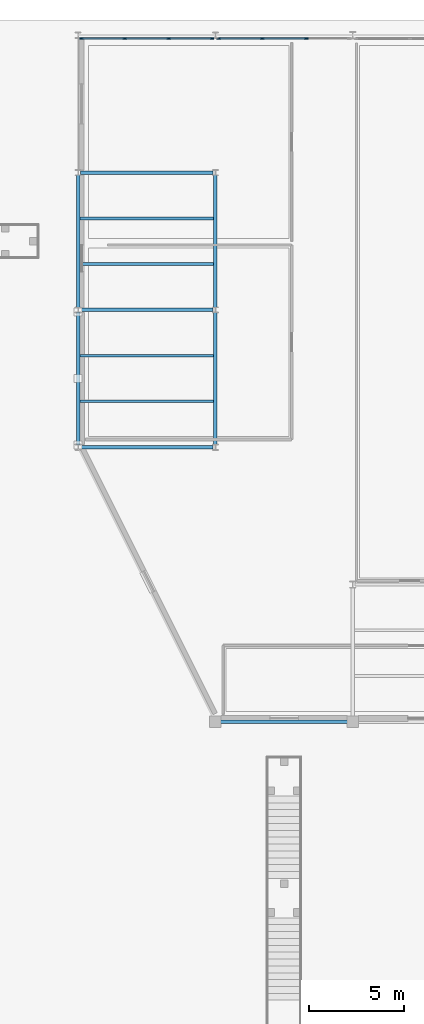
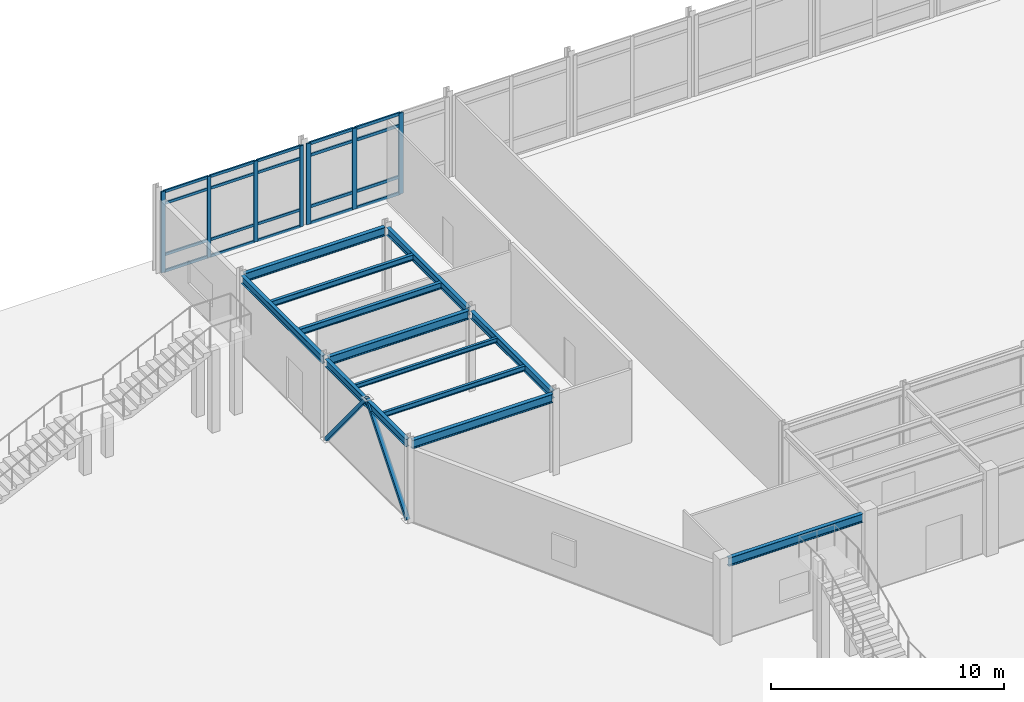
# One storey, part 17 of 58: 29 members, 12 beams, 2 elements without a shape of their own.
"""IFC4 building model written with IfcOpenShell, lengths in metres."""

from ifc_helpers import new_model, si_unit, direction, frame, origin, origin_2d, place, context, subcontext, project, spatial, rectangle, hollow_rectangle, i_section, extrude, material, layer, layer_set, material_profile, profile_set, type_object, element, aggregate, save


model = new_model("IFC4")

# Units and contexts
model_context = context("Model", 3, precision=1e-05, world=origin(), true_north=direction((0.0, 1.0)))
body_context = subcontext(model_context, "Body", "Model", "MODEL_VIEW")
ifc_project = project(units=[si_unit("LENGTHUNIT", "METRE"), si_unit("AREAUNIT", "SQUARE_METRE"), si_unit("VOLUMEUNIT", "CUBIC_METRE"), si_unit("PLANEANGLEUNIT", "RADIAN"), si_unit("MASSUNIT", "GRAM", prefix="KILO")], contexts=[model_context])

# Site, building, storey
site_placement = place(None, origin())
site = spatial("IfcSite", under=ifc_project, at=site_placement, CompositionType="ELEMENT")
building_placement = place(site_placement, origin())
building = spatial("IfcBuilding", under=site, at=building_placement, Name="Brisavento Harbour Community Centre", CompositionType="ELEMENT")
storey_placement = place(building_placement, origin())
storey = spatial("IfcBuildingStorey", under=building, at=storey_placement, Name="L00", CompositionType="ELEMENT", Elevation=0.0)

# Beams
ifc_material_1 = material(Name="Steel S355", Category="steel")
ifc_material_profile_1 = material_profile(ifc_material_1, i_section(OverallWidth=0.1201171875, OverallDepth=0.239990234375, WebThickness=0.006103515625, FlangeThickness=0.009765625, FilletRadius=0.014892578125, at=origin_2d()), Name="Steel S355")
ifc_profile_set_1 = profile_set([ifc_material_profile_1], Name="Steel S355")
beam_type_1 = type_object("IfcBeamType", Name="BM-STL-IPE240", PredefinedType="JOIST", material=ifc_profile_set_1)
beam_1_placement = place(storey_placement, frame((115.2900390625, 98.39990234375, 4.1201171875), z_axis=(1.0, 0.0, 0.0), x_axis=(0.0, 1.0, 0.0)))
element("IfcBeam", 1, at=beam_1_placement, inside=storey, type_object=beam_type_1, Name="L00 secondary floor joist 0187", PredefinedType="JOIST", context=body_context, shape_type="SweptSolid", body=[
    extrude(i_section(OverallWidth=0.1201171875, OverallDepth=0.239990234375, WebThickness=0.006103515625, FlangeThickness=0.009765625, FilletRadius=0.014892578125, at=origin_2d()), origin(), (0.0, 0.0, 1.0), 7.02001953125),
])
ifc_material_profile_2 = material_profile(ifc_material_1, i_section(OverallWidth=0.135009765625, OverallDepth=0.27001953125, WebThickness=0.006591796875, FlangeThickness=0.01025390625, FilletRadius=0.014892578125, at=origin_2d()), Name="Steel S355")
ifc_profile_set_2 = profile_set([ifc_material_profile_2], Name="Steel S355")
beam_type_2 = type_object("IfcBeamType", Name="BM-STL-IPE270", PredefinedType="JOIST", material=ifc_profile_set_2)
beam_2_placement = place(storey_placement, frame((115.2900390625, 96.0, 4.10498046875), z_axis=(1.0, 0.0, 0.0), x_axis=(0.0, 1.0, 0.0)))
element("IfcBeam", 2, at=beam_2_placement, inside=storey, type_object=beam_type_2, Name="L00 secondary floor joist 0186", PredefinedType="JOIST", context=body_context, shape_type="SweptSolid", body=[
    extrude(i_section(OverallWidth=0.135009765625, OverallDepth=0.27001953125, WebThickness=0.006591796875, FlangeThickness=0.01025390625, FilletRadius=0.014892578125, at=origin_2d()), origin(), (0.0, 0.0, 1.0), 7.02001953125),
])
ifc_material_profile_3 = material_profile(ifc_material_1, i_section(OverallWidth=0.14990234375, OverallDepth=0.300048828125, WebThickness=0.007080078125, FlangeThickness=0.0107421875, FilletRadius=0.014892578125, at=origin_2d()), Name="Steel S355")
ifc_profile_set_3 = profile_set([ifc_material_profile_3], Name="Steel S355")
beam_type_3 = type_object("IfcBeamType", Name="BM-STL-IPE300", PredefinedType="JOIST", material=ifc_profile_set_3)
beam_3_placement = place(storey_placement, frame((115.2900390625, 105.60009765625, 4.090087890625), z_axis=(1.0, 0.0, 0.0), x_axis=(0.0, 1.0, 0.0)))
element("IfcBeam", 3, at=beam_3_placement, inside=storey, type_object=beam_type_3, Name="L00 secondary floor joist 0189", PredefinedType="JOIST", context=body_context, shape_type="SweptSolid", body=[
    extrude(i_section(OverallWidth=0.14990234375, OverallDepth=0.300048828125, WebThickness=0.007080078125, FlangeThickness=0.0107421875, FilletRadius=0.014892578125, at=origin_2d()), origin(), (0.0, 0.0, 1.0), 7.02001953125),
])
ifc_material_profile_4 = material_profile(ifc_material_1, i_section(OverallWidth=0.159912109375, OverallDepth=0.330078125, WebThickness=0.007568359375, FlangeThickness=0.011474609375, FilletRadius=0.01806640625, at=origin_2d()), Name="Steel S355")
ifc_profile_set_4 = profile_set([ifc_material_profile_4], Name="Steel S355")
beam_type_4 = type_object("IfcBeamType", Name="BM-STL-IPE330", PredefinedType="JOIST", material=ifc_profile_set_4)
beam_4_placement = place(storey_placement, frame((115.2900390625, 103.199951171875, 4.074951171875), z_axis=(1.0, 0.0, 0.0), x_axis=(0.0, 1.0, 0.0)))
element("IfcBeam", 4, at=beam_4_placement, inside=storey, type_object=beam_type_4, Name="L00 secondary floor joist 0188", PredefinedType="JOIST", context=body_context, shape_type="SweptSolid", body=[
    extrude(i_section(OverallWidth=0.159912109375, OverallDepth=0.330078125, WebThickness=0.007568359375, FlangeThickness=0.011474609375, FilletRadius=0.01806640625, at=origin_2d()), origin(), (0.0, 0.0, 1.0), 7.02001953125),
])
ifc_material_profile_5 = material_profile(ifc_material_1, i_section(OverallWidth=0.179931640625, OverallDepth=0.39990234375, WebThickness=0.008544921875, FlangeThickness=0.013427734375, FilletRadius=0.02099609375, at=origin_2d()), Name="Steel S355")
ifc_profile_set_5 = profile_set([ifc_material_profile_5], Name="Steel S355")
beam_type_5 = type_object("IfcBeamType", Name="BM-STL-IPE400", PredefinedType="BEAM", material=ifc_profile_set_5)
for number, where, z_axis, x_axis, name in (
    (5, (115.199951171875, 93.719970703125, 4.0400390625), (0.0, 1.0, 0.0), (-1.0, 0.0, 0.0), "L00 primary girder Y0365"),
    (6, (115.199951171875, 100.919921875, 4.0400390625), (0.0, 1.0, 0.0), (-1.0, 0.0, 0.0), "L00 primary girder Y0366"),
    (7, (122.39990234375, 93.719970703125, 4.0400390625), (0.0, 1.0, 0.0), (-1.0, 0.0, 0.0), "L00 primary girder Y0369"),
    (8, (122.39990234375, 100.919921875, 4.0400390625), (0.0, 1.0, 0.0), (-1.0, 0.0, 0.0), "L00 primary girder Y0370"),
):
    element("IfcBeam", number, at=place(storey_placement, frame(where, z_axis=z_axis, x_axis=x_axis)), inside=storey, type_object=beam_type_5, Name=name, PredefinedType="BEAM", context=body_context, shape_type="SweptSolid", body=[
        extrude(i_section(OverallWidth=0.179931640625, OverallDepth=0.39990234375, WebThickness=0.008544921875, FlangeThickness=0.013427734375, FilletRadius=0.02099609375, at=origin_2d()), origin(), (0.0, 0.0, 1.0), 6.9599609375),
    ])
ifc_material_profile_6 = material_profile(ifc_material_1, i_section(OverallWidth=0.18994140625, OverallDepth=0.449951171875, WebThickness=0.009521484375, FlangeThickness=0.0146484375, FilletRadius=0.02099609375, at=origin_2d()), Name="Steel S355")
ifc_profile_set_6 = profile_set([ifc_material_profile_6], Name="Steel S355")
beam_type_6 = type_object("IfcBeamType", Name="BM-STL-IPE450", PredefinedType="BEAM", material=ifc_profile_set_6)
beam_5_placement = place(storey_placement, frame((122.669921875, 79.199951171875, 4.014892578125), z_axis=(1.0, 0.0, 0.0), x_axis=(0.0, 1.0, 0.0)))
element("IfcBeam", 9, at=beam_5_placement, inside=storey, type_object=beam_type_6, Name="L00 primary girder X0301", PredefinedType="BEAM", context=body_context, shape_type="SweptSolid", body=[
    extrude(i_section(OverallWidth=0.18994140625, OverallDepth=0.449951171875, WebThickness=0.009521484375, FlangeThickness=0.0146484375, FilletRadius=0.02099609375, at=origin_2d()), origin(), (0.0, 0.0, 1.0), 6.66015625),
])
for number, where, z_axis, x_axis, name in (
    (10, (115.320068359375, 93.60009765625, 4.014892578125), (1.0, 0.0, 0.0), (0.0, 1.0, 0.0), "L00 primary girder X0320"),
    (11, (115.320068359375, 100.800048828125, 4.014892578125), (1.0, 0.0, 0.0), (0.0, 1.0, 0.0), "L00 primary girder X0321"),
    (12, (115.320068359375, 108.0, 4.014892578125), (1.0, 0.0, 0.0), (0.0, 1.0, 0.0), "L00 primary girder X0322"),
):
    element("IfcBeam", number, at=place(storey_placement, frame(where, z_axis=z_axis, x_axis=x_axis)), inside=storey, type_object=beam_type_6, Name=name, PredefinedType="BEAM", context=body_context, shape_type="SweptSolid", body=[
        extrude(i_section(OverallWidth=0.18994140625, OverallDepth=0.449951171875, WebThickness=0.009521484375, FlangeThickness=0.0146484375, FilletRadius=0.02099609375, at=origin_2d()), origin(), (0.0, 0.0, 1.0), 6.9599609375),
    ])

# Curtain wall, members
ifc_material_2 = material(Name="Marine-anodised aluminium AW-6063-T6", Category="aluminium")
ifc_layer_1 = layer(ifc_material_2, 0.179931640625, Name="Marine-anodised aluminium AW-6063-T6")
ifc_layer_set_1 = layer_set([ifc_layer_1], Name="Marine-anodised aluminium AW-6063-T6")
curtain_wall_type_1 = type_object("IfcCurtainWallType", Name="CW-SYS-07", PredefinedType="USERDEFINED", material=ifc_layer_set_1)
curtain_wall_1_placement = place(storey_placement, origin())
curtain_wall_1 = element("IfcCurtainWall", 13, at=curtain_wall_1_placement, inside=storey, type_object=curtain_wall_type_1, Name="L00 V4 unitised curtain wall 007", ObjectType="UNITISED CURTAIN WALL", PredefinedType="USERDEFINED")
ifc_material_profile_7 = material_profile(ifc_material_2, rectangle(XDim=0.074951171875, YDim=0.18994140625, at=origin_2d()), Name="Marine-anodised aluminium AW-6063-T6")
ifc_profile_set_7 = profile_set([ifc_material_profile_7], Name="Marine-anodised aluminium AW-6063-T6")
member_type_1 = type_object("IfcMemberType", Name="CWM-03", PredefinedType="MULLION", material=ifc_profile_set_7)
member_1_placement = place(storey_placement, frame((115.37255859375, 115.02001953125, 0.0), z_axis=(0.0, 0.0, 1.0), x_axis=(0.0, 1.0, 0.0)))
member_1 = element("IfcMember", 14, at=member_1_placement, type_object=member_type_1, Name="CW-07 mullion 1", PredefinedType="MULLION", context=body_context, shape_type="SweptSolid", body=[
    extrude(rectangle(XDim=0.074951171875, YDim=0.18994140625, at=origin_2d()), origin(), (0.0, 0.0, 1.0), 4.239990234375),
])
member_2_placement = place(storey_placement, frame((117.64501953125, 115.02001953125, 0.0), z_axis=(0.0, 0.0, 1.0), x_axis=(0.0, 1.0, 0.0)))
member_2 = element("IfcMember", 15, at=member_2_placement, type_object=member_type_1, Name="CW-07 mullion 2", PredefinedType="MULLION", context=body_context, shape_type="SweptSolid", body=[
    extrude(rectangle(XDim=0.074951171875, YDim=0.18994140625, at=origin_2d()), origin(), (0.0, 0.0, 1.0), 4.239990234375),
])
member_3_placement = place(storey_placement, frame((119.955078125, 115.02001953125, 0.0), z_axis=(0.0, 0.0, 1.0), x_axis=(0.0, 1.0, 0.0)))
member_3 = element("IfcMember", 16, at=member_3_placement, type_object=member_type_1, Name="CW-07 mullion 3", PredefinedType="MULLION", context=body_context, shape_type="SweptSolid", body=[
    extrude(rectangle(XDim=0.074951171875, YDim=0.18994140625, at=origin_2d()), origin(), (0.0, 0.0, 1.0), 4.239990234375),
])
member_4_placement = place(storey_placement, frame((122.2275390625, 115.02001953125, 0.0), z_axis=(0.0, 0.0, 1.0), x_axis=(0.0, 1.0, 0.0)))
member_4 = element("IfcMember", 17, at=member_4_placement, type_object=member_type_1, Name="CW-07 mullion 4", PredefinedType="MULLION", context=body_context, shape_type="SweptSolid", body=[
    extrude(rectangle(XDim=0.074951171875, YDim=0.18994140625, at=origin_2d()), origin(), (0.0, 0.0, 1.0), 4.239990234375),
])

ifc_layer_2 = layer(ifc_material_2, 0.179931640625, Name="Marine-anodised aluminium AW-6063-T6")
ifc_layer_set_2 = layer_set([ifc_layer_2], Name="Marine-anodised aluminium AW-6063-T6")
curtain_wall_type_2 = type_object("IfcCurtainWallType", Name="CW-SYS-08", PredefinedType="USERDEFINED", material=ifc_layer_set_2)
curtain_wall_2_placement = place(storey_placement, origin())
curtain_wall_2 = element("IfcCurtainWall", 18, at=curtain_wall_2_placement, inside=storey, type_object=curtain_wall_type_2, Name="L00 V4 unitised curtain wall 008", ObjectType="UNITISED CURTAIN WALL", PredefinedType="USERDEFINED")
ifc_material_profile_8 = material_profile(ifc_material_2, rectangle(XDim=0.080078125, YDim=0.2099609375, at=origin_2d()), Name="Marine-anodised aluminium AW-6063-T6")
ifc_profile_set_8 = profile_set([ifc_material_profile_8], Name="Marine-anodised aluminium AW-6063-T6")
member_type_2 = type_object("IfcMemberType", Name="CWM-04", PredefinedType="MULLION", material=ifc_profile_set_8)
member_5_placement = place(storey_placement, frame((122.574951171875, 115.02001953125, 0.0), z_axis=(0.0, 0.0, 1.0), x_axis=(0.0, 1.0, 0.0)))
member_5 = element("IfcMember", 19, at=member_5_placement, type_object=member_type_2, Name="CW-08 mullion 1", PredefinedType="MULLION", context=body_context, shape_type="SweptSolid", body=[
    extrude(rectangle(XDim=0.080078125, YDim=0.2099609375, at=origin_2d()), origin(), (0.0, 0.0, 1.0), 4.239990234375),
])
member_6_placement = place(storey_placement, frame((124.844970703125, 115.02001953125, 0.0), z_axis=(0.0, 0.0, 1.0), x_axis=(0.0, 1.0, 0.0)))
member_6 = element("IfcMember", 20, at=member_6_placement, type_object=member_type_2, Name="CW-08 mullion 2", PredefinedType="MULLION", context=body_context, shape_type="SweptSolid", body=[
    extrude(rectangle(XDim=0.080078125, YDim=0.2099609375, at=origin_2d()), origin(), (0.0, 0.0, 1.0), 4.239990234375),
])
member_7_placement = place(storey_placement, frame((127.155029296875, 115.02001953125, 0.0), z_axis=(0.0, 0.0, 1.0), x_axis=(0.0, 1.0, 0.0)))
member_7 = element("IfcMember", 21, at=member_7_placement, type_object=member_type_2, Name="CW-08 mullion 3", PredefinedType="MULLION", context=body_context, shape_type="SweptSolid", body=[
    extrude(rectangle(XDim=0.080078125, YDim=0.2099609375, at=origin_2d()), origin(), (0.0, 0.0, 1.0), 4.239990234375),
])

# Member
ifc_material_profile_9 = material_profile(ifc_material_2, rectangle(XDim=0.074951171875, YDim=0.139892578125, at=origin_2d()), Name="Marine-anodised aluminium AW-6063-T6")
ifc_profile_set_9 = profile_set([ifc_material_profile_9], Name="Marine-anodised aluminium AW-6063-T6")
member_type_3 = type_object("IfcMemberType", Name="CWT-03", PredefinedType="USERDEFINED", material=ifc_profile_set_9)
member_8_placement = place(storey_placement, frame((115.409912109375, 115.02001953125, 0.03759765625), z_axis=(1.0, 0.0, 0.0), x_axis=(0.0, 1.0, 0.0)))
member_8 = element("IfcMember", 22, at=member_8_placement, type_object=member_type_3, Name="CW-07 transom 1.1", ObjectType="TRANSOM", PredefinedType="USERDEFINED", context=body_context, shape_type="SweptSolid", body=[
    extrude(rectangle(XDim=0.074951171875, YDim=0.139892578125, at=origin_2d()), origin(), (0.0, 0.0, 1.0), 2.197509765625),
])

member_9_placement = place(storey_placement, frame((115.409912109375, 115.02001953125, 0.89990234375), z_axis=(1.0, 0.0, 0.0), x_axis=(0.0, 1.0, 0.0)))
member_9 = element("IfcMember", 23, at=member_9_placement, type_object=member_type_3, Name="CW-07 transom 1.2", ObjectType="TRANSOM", PredefinedType="USERDEFINED", context=body_context, shape_type="SweptSolid", body=[
    extrude(rectangle(XDim=0.074951171875, YDim=0.139892578125, at=origin_2d()), origin(), (0.0, 0.0, 1.0), 2.197509765625),
])

member_10_placement = place(storey_placement, frame((115.409912109375, 115.02001953125, 3.590087890625), z_axis=(1.0, 0.0, 0.0), x_axis=(0.0, 1.0, 0.0)))
member_10 = element("IfcMember", 24, at=member_10_placement, type_object=member_type_3, Name="CW-07 transom 1.3", ObjectType="TRANSOM", PredefinedType="USERDEFINED", context=body_context, shape_type="SweptSolid", body=[
    extrude(rectangle(XDim=0.074951171875, YDim=0.139892578125, at=origin_2d()), origin(), (0.0, 0.0, 1.0), 2.197509765625),
])

member_11_placement = place(storey_placement, frame((115.409912109375, 115.02001953125, 4.202392578125), z_axis=(1.0, 0.0, 0.0), x_axis=(0.0, 1.0, 0.0)))
member_11 = element("IfcMember", 25, at=member_11_placement, type_object=member_type_3, Name="CW-07 transom 1.4", ObjectType="TRANSOM", PredefinedType="USERDEFINED", context=body_context, shape_type="SweptSolid", body=[
    extrude(rectangle(XDim=0.074951171875, YDim=0.139892578125, at=origin_2d()), origin(), (0.0, 0.0, 1.0), 2.197509765625),
])

member_12_placement = place(storey_placement, frame((117.6826171875, 115.02001953125, 0.03759765625), z_axis=(1.0, 0.0, 0.0), x_axis=(0.0, 1.0, 0.0)))
member_12 = element("IfcMember", 26, at=member_12_placement, type_object=member_type_3, Name="CW-07 transom 2.1", ObjectType="TRANSOM", PredefinedType="USERDEFINED", context=body_context, shape_type="SweptSolid", body=[
    extrude(rectangle(XDim=0.074951171875, YDim=0.139892578125, at=origin_2d()), origin(), (0.0, 0.0, 1.0), 2.23486328125),
])

member_13_placement = place(storey_placement, frame((117.6826171875, 115.02001953125, 0.89990234375), z_axis=(1.0, 0.0, 0.0), x_axis=(0.0, 1.0, 0.0)))
member_13 = element("IfcMember", 27, at=member_13_placement, type_object=member_type_3, Name="CW-07 transom 2.2", ObjectType="TRANSOM", PredefinedType="USERDEFINED", context=body_context, shape_type="SweptSolid", body=[
    extrude(rectangle(XDim=0.074951171875, YDim=0.139892578125, at=origin_2d()), origin(), (0.0, 0.0, 1.0), 2.23486328125),
])

member_14_placement = place(storey_placement, frame((117.6826171875, 115.02001953125, 3.590087890625), z_axis=(1.0, 0.0, 0.0), x_axis=(0.0, 1.0, 0.0)))
member_14 = element("IfcMember", 28, at=member_14_placement, type_object=member_type_3, Name="CW-07 transom 2.3", ObjectType="TRANSOM", PredefinedType="USERDEFINED", context=body_context, shape_type="SweptSolid", body=[
    extrude(rectangle(XDim=0.074951171875, YDim=0.139892578125, at=origin_2d()), origin(), (0.0, 0.0, 1.0), 2.23486328125),
])

member_15_placement = place(storey_placement, frame((117.6826171875, 115.02001953125, 4.202392578125), z_axis=(1.0, 0.0, 0.0), x_axis=(0.0, 1.0, 0.0)))
member_15 = element("IfcMember", 29, at=member_15_placement, type_object=member_type_3, Name="CW-07 transom 2.4", ObjectType="TRANSOM", PredefinedType="USERDEFINED", context=body_context, shape_type="SweptSolid", body=[
    extrude(rectangle(XDim=0.074951171875, YDim=0.139892578125, at=origin_2d()), origin(), (0.0, 0.0, 1.0), 2.23486328125),
])

member_16_placement = place(storey_placement, frame((119.992431640625, 115.02001953125, 0.03759765625), z_axis=(1.0, 0.0, 0.0), x_axis=(0.0, 1.0, 0.0)))
member_16 = element("IfcMember", 30, at=member_16_placement, type_object=member_type_3, Name="CW-07 transom 3.1", ObjectType="TRANSOM", PredefinedType="USERDEFINED", context=body_context, shape_type="SweptSolid", body=[
    extrude(rectangle(XDim=0.074951171875, YDim=0.139892578125, at=origin_2d()), origin(), (0.0, 0.0, 1.0), 2.197509765625),
])

member_17_placement = place(storey_placement, frame((119.992431640625, 115.02001953125, 0.89990234375), z_axis=(1.0, 0.0, 0.0), x_axis=(0.0, 1.0, 0.0)))
member_17 = element("IfcMember", 31, at=member_17_placement, type_object=member_type_3, Name="CW-07 transom 3.2", ObjectType="TRANSOM", PredefinedType="USERDEFINED", context=body_context, shape_type="SweptSolid", body=[
    extrude(rectangle(XDim=0.074951171875, YDim=0.139892578125, at=origin_2d()), origin(), (0.0, 0.0, 1.0), 2.197509765625),
])

member_18_placement = place(storey_placement, frame((119.992431640625, 115.02001953125, 3.590087890625), z_axis=(1.0, 0.0, 0.0), x_axis=(0.0, 1.0, 0.0)))
member_18 = element("IfcMember", 32, at=member_18_placement, type_object=member_type_3, Name="CW-07 transom 3.3", ObjectType="TRANSOM", PredefinedType="USERDEFINED", context=body_context, shape_type="SweptSolid", body=[
    extrude(rectangle(XDim=0.074951171875, YDim=0.139892578125, at=origin_2d()), origin(), (0.0, 0.0, 1.0), 2.197509765625),
])

member_19_placement = place(storey_placement, frame((119.992431640625, 115.02001953125, 4.202392578125), z_axis=(1.0, 0.0, 0.0), x_axis=(0.0, 1.0, 0.0)))
member_19 = element("IfcMember", 33, at=member_19_placement, type_object=member_type_3, Name="CW-07 transom 3.4", ObjectType="TRANSOM", PredefinedType="USERDEFINED", context=body_context, shape_type="SweptSolid", body=[
    extrude(rectangle(XDim=0.074951171875, YDim=0.139892578125, at=origin_2d()), origin(), (0.0, 0.0, 1.0), 2.197509765625),
])

aggregate(curtain_wall_1, [member_1, member_2, member_3, member_4, member_8, member_9, member_10, member_11, member_12, member_13, member_14, member_15, member_16, member_17, member_18, member_19])

ifc_material_profile_10 = material_profile(ifc_material_2, rectangle(XDim=0.080078125, YDim=0.155029296875, at=origin_2d()), Name="Marine-anodised aluminium AW-6063-T6")
ifc_profile_set_10 = profile_set([ifc_material_profile_10], Name="Marine-anodised aluminium AW-6063-T6")
member_type_4 = type_object("IfcMemberType", Name="CWT-04", PredefinedType="USERDEFINED", material=ifc_profile_set_10)
member_20_placement = place(storey_placement, frame((122.614990234375, 115.02001953125, 0.0400390625), z_axis=(1.0, 0.0, 0.0), x_axis=(0.0, 1.0, 0.0)))
member_20 = element("IfcMember", 34, at=member_20_placement, type_object=member_type_4, Name="CW-08 transom 1.1", ObjectType="TRANSOM", PredefinedType="USERDEFINED", context=body_context, shape_type="SweptSolid", body=[
    extrude(rectangle(XDim=0.080078125, YDim=0.155029296875, at=origin_2d()), origin(), (0.0, 0.0, 1.0), 2.18994140625),
])

member_21_placement = place(storey_placement, frame((122.614990234375, 115.02001953125, 0.89990234375), z_axis=(1.0, 0.0, 0.0), x_axis=(0.0, 1.0, 0.0)))
member_21 = element("IfcMember", 35, at=member_21_placement, type_object=member_type_4, Name="CW-08 transom 1.2", ObjectType="TRANSOM", PredefinedType="USERDEFINED", context=body_context, shape_type="SweptSolid", body=[
    extrude(rectangle(XDim=0.080078125, YDim=0.155029296875, at=origin_2d()), origin(), (0.0, 0.0, 1.0), 2.18994140625),
])

member_22_placement = place(storey_placement, frame((122.614990234375, 115.02001953125, 3.590087890625), z_axis=(1.0, 0.0, 0.0), x_axis=(0.0, 1.0, 0.0)))
member_22 = element("IfcMember", 36, at=member_22_placement, type_object=member_type_4, Name="CW-08 transom 1.3", ObjectType="TRANSOM", PredefinedType="USERDEFINED", context=body_context, shape_type="SweptSolid", body=[
    extrude(rectangle(XDim=0.080078125, YDim=0.155029296875, at=origin_2d()), origin(), (0.0, 0.0, 1.0), 2.18994140625),
])

member_23_placement = place(storey_placement, frame((122.614990234375, 115.02001953125, 4.199951171875), z_axis=(1.0, 0.0, 0.0), x_axis=(0.0, 1.0, 0.0)))
member_23 = element("IfcMember", 37, at=member_23_placement, type_object=member_type_4, Name="CW-08 transom 1.4", ObjectType="TRANSOM", PredefinedType="USERDEFINED", context=body_context, shape_type="SweptSolid", body=[
    extrude(rectangle(XDim=0.080078125, YDim=0.155029296875, at=origin_2d()), origin(), (0.0, 0.0, 1.0), 2.18994140625),
])

member_24_placement = place(storey_placement, frame((124.885009765625, 115.02001953125, 0.0400390625), z_axis=(1.0, 0.0, 0.0), x_axis=(0.0, 1.0, 0.0)))
member_24 = element("IfcMember", 38, at=member_24_placement, type_object=member_type_4, Name="CW-08 transom 2.1", ObjectType="TRANSOM", PredefinedType="USERDEFINED", context=body_context, shape_type="SweptSolid", body=[
    extrude(rectangle(XDim=0.080078125, YDim=0.155029296875, at=origin_2d()), origin(), (0.0, 0.0, 1.0), 2.22998046875),
])

member_25_placement = place(storey_placement, frame((124.885009765625, 115.02001953125, 0.89990234375), z_axis=(1.0, 0.0, 0.0), x_axis=(0.0, 1.0, 0.0)))
member_25 = element("IfcMember", 39, at=member_25_placement, type_object=member_type_4, Name="CW-08 transom 2.2", ObjectType="TRANSOM", PredefinedType="USERDEFINED", context=body_context, shape_type="SweptSolid", body=[
    extrude(rectangle(XDim=0.080078125, YDim=0.155029296875, at=origin_2d()), origin(), (0.0, 0.0, 1.0), 2.22998046875),
])

member_26_placement = place(storey_placement, frame((124.885009765625, 115.02001953125, 3.590087890625), z_axis=(1.0, 0.0, 0.0), x_axis=(0.0, 1.0, 0.0)))
member_26 = element("IfcMember", 40, at=member_26_placement, type_object=member_type_4, Name="CW-08 transom 2.3", ObjectType="TRANSOM", PredefinedType="USERDEFINED", context=body_context, shape_type="SweptSolid", body=[
    extrude(rectangle(XDim=0.080078125, YDim=0.155029296875, at=origin_2d()), origin(), (0.0, 0.0, 1.0), 2.22998046875),
])

member_27_placement = place(storey_placement, frame((124.885009765625, 115.02001953125, 4.199951171875), z_axis=(1.0, 0.0, 0.0), x_axis=(0.0, 1.0, 0.0)))
member_27 = element("IfcMember", 41, at=member_27_placement, type_object=member_type_4, Name="CW-08 transom 2.4", ObjectType="TRANSOM", PredefinedType="USERDEFINED", context=body_context, shape_type="SweptSolid", body=[
    extrude(rectangle(XDim=0.080078125, YDim=0.155029296875, at=origin_2d()), origin(), (0.0, 0.0, 1.0), 2.22998046875),
])

aggregate(curtain_wall_2, [member_5, member_6, member_7, member_20, member_21, member_22, member_23, member_24, member_25, member_26, member_27])

# Members
ifc_material_profile_11 = material_profile(ifc_material_1, hollow_rectangle(XDim=0.179931640625, YDim=0.179931640625, WallThickness=0.010009765625, at=origin_2d()), Name="Steel S355")
ifc_profile_set_11 = profile_set([ifc_material_profile_11], Name="Steel S355")
member_type_5 = type_object("IfcMemberType", Name="MEM-BRC-SHS180", PredefinedType="BRACE", material=ifc_profile_set_11)
for number, where, z_axis, x_axis, name in (
    (42, (115.199951171875, 93.719970703125, 0.0), (0.0, 0.632640623521, 0.774445505811), (-1.0, 0.0, 0.0), "Sports Hall flank chevron brace 4.1"),
    (43, (115.199951171875, 100.679931640625, 0.0), (0.0, -0.632640623521, 0.774445505811), (1.0, 0.0, 0.0), "Sports Hall flank chevron brace 4.2"),
):
    element("IfcMember", number, at=place(storey_placement, frame(where, z_axis=z_axis, x_axis=x_axis)), inside=storey, type_object=member_type_5, Name=name, PredefinedType="BRACE", context=body_context, shape_type="SweptSolid", body=[
        extrude(hollow_rectangle(XDim=0.179931640625, YDim=0.179931640625, WallThickness=0.010009765625, at=origin_2d()), origin(), (0.0, 0.0, 1.0), 5.500732421875),
    ])

save(model, "model.ifc")
